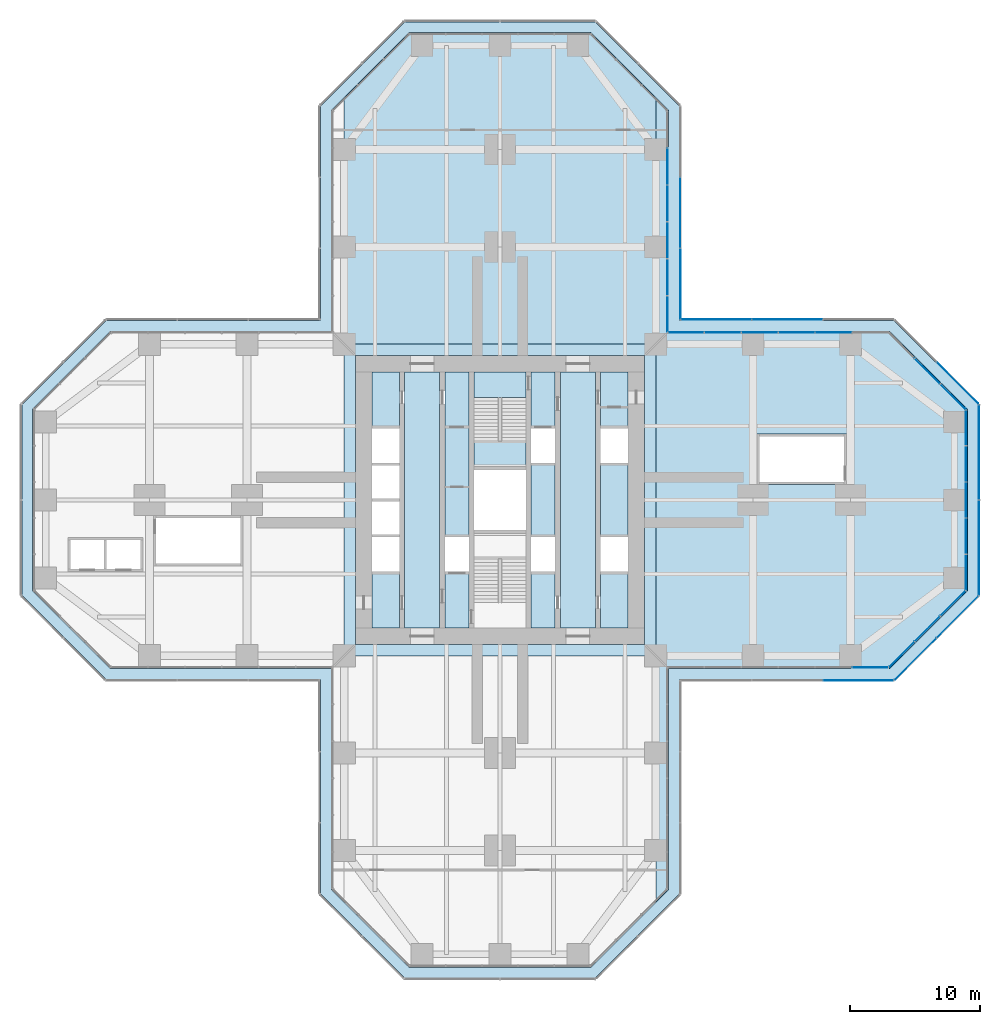
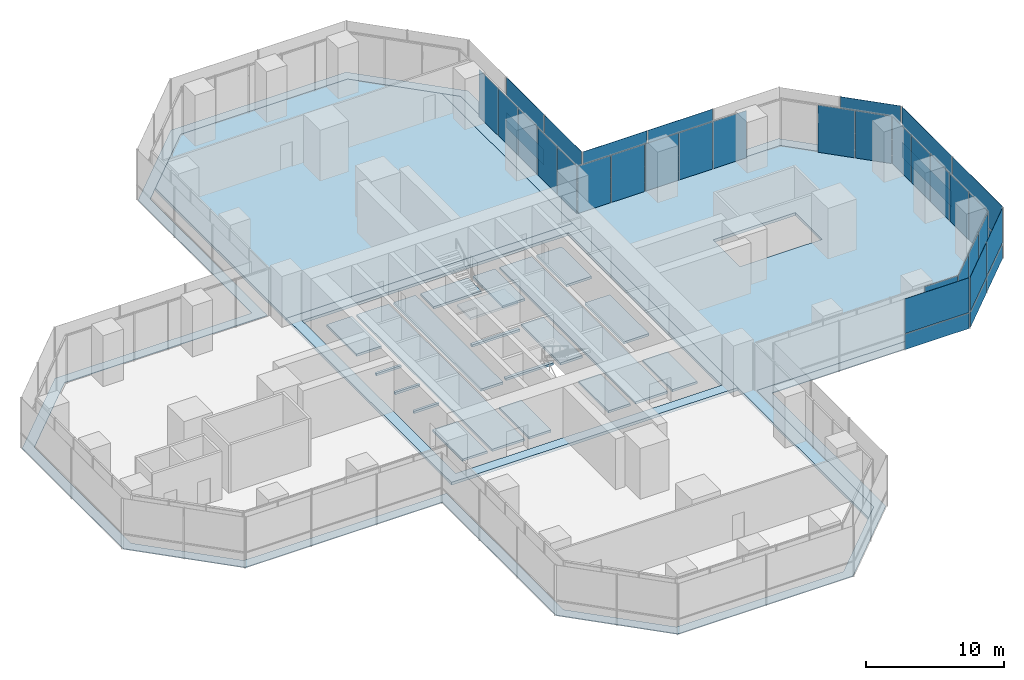
# One storey, part 15 of 21: 42 plates, 6 slabs, 13 elements without a shape of their own.
"""IFC4 building model written with IfcOpenShell, lengths in metres."""

from ifc_helpers import new_model, si_unit, direction, frame, origin, origin_2d, place, context, subcontext, project, spatial, polyline, rectangle, outline, extrude, material, layer, layer_set, type_object, element, aggregate, save


model = new_model("IFC4")

# Units and contexts
model_context = context("Model", 3, precision=1e-05, world=origin(), true_north=direction((0.0, 1.0)))
body_context = subcontext(model_context, "Body", "Model", "MODEL_VIEW")
ifc_project = project(units=[si_unit("LENGTHUNIT", "METRE"), si_unit("AREAUNIT", "SQUARE_METRE"), si_unit("VOLUMEUNIT", "CUBIC_METRE"), si_unit("PLANEANGLEUNIT", "RADIAN"), si_unit("MASSUNIT", "GRAM", prefix="KILO")], contexts=[model_context])

# Site, building, storey
site_placement = place(None, origin())
site = spatial("IfcSite", under=ifc_project, at=site_placement, CompositionType="ELEMENT")
building_placement = place(site_placement, origin())
building = spatial("IfcBuilding", under=site, at=building_placement, Name="Mizan Broadcast Tower", CompositionType="ELEMENT")
storey_placement = place(building_placement, frame((0.0, 0.0, 33.0)))
storey = spatial("IfcBuildingStorey", under=building, at=storey_placement, Name="L05", CompositionType="ELEMENT", Elevation=33.0)

# Plate
ifc_material_1 = material(Name="Aluminium grating", Category="aluminium")
ifc_layer_1 = layer(ifc_material_1, 0.050048828125)
ifc_layer_set_1 = layer_set([ifc_layer_1], Name="Aluminium grating")
plate_type_1 = type_object("IfcPlateType", Name="CAVITY GRATING", PredefinedType="USERDEFINED", material=ifc_layer_set_1)
plate_1_placement = place(storey_placement, frame((0.0, 0.0, -0.050048828125)))
element("IfcPlate", 1, at=plate_1_placement, inside=storey, type_object=plate_type_1, Name="Cavity grating L05", ObjectType="GRATING", PredefinedType="USERDEFINED", context=body_context, shape_type="SweptSolid", body=[
    extrude(outline(polyline([(7.339599609375, -36.820068359375), (13.820068359375, -30.339599609375), (13.820068359375, -13.820068359375), (30.339599609375, -13.820068359375), (36.820068359375, -7.339599609375), (36.820068359375, 7.339599609375), (30.339599609375, 13.820068359375), (13.820068359375, 13.820068359375), (13.820068359375, 30.339599609375), (7.339599609375, 36.820068359375), (-7.339599609375, 36.820068359375), (-13.820068359375, 30.339599609375), (-13.820068359375, 13.820068359375), (-30.339599609375, 13.820068359375), (-36.820068359375, 7.339599609375), (-36.820068359375, -7.339599609375), (-30.339599609375, -13.820068359375), (-13.820068359375, -13.820068359375), (-13.820068359375, -30.339599609375), (-7.339599609375, -36.820068359375), (7.339599609375, -36.820068359375)]), holes=[polyline([(36.0, -7.0), (30.0, -13.0), (13.0, -13.0), (13.0, -30.0), (7.0, -36.0), (-7.0, -36.0), (-13.0, -30.0), (-13.0, -13.0), (-30.0, -13.0), (-36.0, -7.0), (-36.0, 7.0), (-30.0, 13.0), (-13.0, 13.0), (-13.0, 30.0), (-7.0, 36.0), (7.0, 36.0), (13.0, 30.0), (13.0, 13.0), (30.0, 13.0), (36.0, 7.0), (36.0, -7.0)])]), origin(), (0.0, 0.0, 1.0), 0.050048828125),
])

# Slab
ifc_material_2 = material(Name="Concrete C40/50", Category="concrete")
ifc_layer_2 = layer(ifc_material_2, 0.199951171875)
ifc_layer_set_2 = layer_set([ifc_layer_2], Name="Concrete C40/50")
slab_type_1 = type_object("IfcSlabType", Name="CORE FLOOR 200", PredefinedType="FLOOR", material=ifc_layer_set_2)
slab_1_placement = place(storey_placement, frame((0.0, 0.0, -0.199951171875)))
element("IfcSlab", 2, at=slab_1_placement, inside=storey, type_object=slab_type_1, Name="Core floor L05", PredefinedType="FLOOR", context=body_context, shape_type="SweptSolid", body=[
    extrude(outline(polyline([(-9.85009765625, -9.85009765625), (-7.75, -9.85009765625), (-7.75, -5.5), (-9.85009765625, -5.5), (-9.85009765625, -9.85009765625)])), origin(), (0.0, 0.0, 1.0), 0.199951171875),
    extrude(outline(polyline([(-9.85009765625, -2.85009765625), (-7.75, -2.85009765625), (-7.75, -2.64990234375), (-9.85009765625, -2.64990234375), (-9.85009765625, -2.85009765625)])), origin(), (0.0, 0.0, 1.0), 0.199951171875),
    extrude(outline(polyline([(-9.85009765625, -0.10009765625), (-7.75, -0.10009765625), (-7.75, 0.10009765625), (-9.85009765625, 0.10009765625), (-9.85009765625, -0.10009765625)])), origin(), (0.0, 0.0, 1.0), 0.199951171875),
    extrude(outline(polyline([(-9.85009765625, 2.64990234375), (-7.75, 2.64990234375), (-7.75, 2.85009765625), (-9.85009765625, 2.85009765625), (-9.85009765625, 2.64990234375)])), origin(), (0.0, 0.0, 1.0), 0.199951171875),
    extrude(outline(polyline([(-9.85009765625, 5.5), (-7.75, 5.5), (-7.75, 9.85009765625), (-9.85009765625, 9.85009765625), (-9.85009765625, 5.5)])), origin(), (0.0, 0.0, 1.0), 0.199951171875),
    extrude(outline(polyline([(-4.64990234375, 9.85009765625), (-7.35009765625, 9.85009765625), (-7.35009765625, -9.85009765625), (-4.64990234375, -9.85009765625), (-4.64990234375, 9.85009765625)])), origin(), (0.0, 0.0, 1.0), 0.199951171875),
    extrude(outline(polyline([(-4.25, -5.5), (-4.25, -9.85009765625), (-2.39990234375, -9.85009765625), (-2.39990234375, -5.5), (-4.25, -5.5)])), origin(), (0.0, 0.0, 1.0), 0.199951171875),
    extrude(outline(polyline([(-4.25, -2.85009765625), (-2.39990234375, -2.85009765625), (-2.39990234375, 9.85009765625), (-4.25, 9.85009765625), (-4.25, -2.85009765625)])), origin(), (0.0, 0.0, 1.0), 0.199951171875),
    extrude(outline(polyline([(2.0, -2.324951171875), (-2.0, -2.324951171875), (-2.0, -2.574951171875), (2.0, -2.574951171875), (2.0, -2.324951171875)])), origin(), (0.0, 0.0, 1.0), 0.199951171875),
    extrude(outline(polyline([(2.0, 2.574951171875), (-2.0, 2.574951171875), (-2.0, 2.324951171875), (2.0, 2.324951171875), (2.0, 2.574951171875)])), origin(), (0.0, 0.0, 1.0), 0.199951171875),
    extrude(outline(polyline([(4.25, -9.85009765625), (4.25, -5.5), (2.39990234375, -5.5), (2.39990234375, -9.85009765625), (4.25, -9.85009765625)])), origin(), (0.0, 0.0, 1.0), 0.199951171875),
    extrude(outline(polyline([(4.25, -2.85009765625), (4.25, 2.85009765625), (2.39990234375, 2.85009765625), (2.39990234375, -2.85009765625), (4.25, -2.85009765625)])), origin(), (0.0, 0.0, 1.0), 0.199951171875),
    extrude(outline(polyline([(4.25, 5.5), (4.25, 9.85009765625), (2.39990234375, 9.85009765625), (2.39990234375, 5.5), (4.25, 5.5)])), origin(), (0.0, 0.0, 1.0), 0.199951171875),
    extrude(outline(polyline([(4.64990234375, 9.85009765625), (4.64990234375, -9.85009765625), (7.35009765625, -9.85009765625), (7.35009765625, 9.85009765625), (4.64990234375, 9.85009765625)])), origin(), (0.0, 0.0, 1.0), 0.199951171875),
    extrude(outline(polyline([(9.85009765625, -9.85009765625), (9.85009765625, -5.5), (7.75, -5.5), (7.75, -9.85009765625), (9.85009765625, -9.85009765625)])), origin(), (0.0, 0.0, 1.0), 0.199951171875),
    extrude(outline(polyline([(7.75, 2.85009765625), (7.75, -2.85009765625), (9.85009765625, -2.85009765625), (9.85009765625, 2.85009765625), (7.75, 2.85009765625)])), origin(), (0.0, 0.0, 1.0), 0.199951171875),
    extrude(outline(polyline([(9.85009765625, 5.5), (9.85009765625, 9.85009765625), (7.75, 9.85009765625), (7.75, 5.5), (9.85009765625, 5.5)])), origin(), (0.0, 0.0, 1.0), 0.199951171875),
])

# Curtain wall, plates
ifc_material_3 = material(Name="Aluminium framed glazing", Category="aluminium")
curtain_wall_type_1 = type_object("IfcCurtainWallType", Name="OUTER SKIN", PredefinedType="USERDEFINED", material=ifc_material_3)
curtain_wall_1_placement = place(storey_placement, origin())
curtain_wall_1 = element("IfcCurtainWall", 3, at=curtain_wall_1_placement, inside=storey, type_object=curtain_wall_type_1, Name="Outer skin L05 E side", ObjectType="OUTER SKIN", PredefinedType="USERDEFINED")
ifc_material_4 = material(Name="Laminated clear glass", Category="glass")
ifc_layer_3 = layer(ifc_material_4, 0.02001953125)
ifc_layer_set_3 = layer_set([ifc_layer_3], Name="Laminated clear glass")
plate_type_2 = type_object("IfcPlateType", Name="OUTER SKIN CLEAR GLASS", PredefinedType="CURTAIN_PANEL", material=ifc_layer_set_3)
plate_2_placement = place(storey_placement, frame((27.607421875, -13.89990234375, 0.0), z_axis=(0.0, 0.0, 1.0), x_axis=(1.0, 0.0, 0.0)))
plate_2 = element("IfcPlate", 4, at=plate_2_placement, type_object=plate_type_2, Name="Outer skin L05 E side panel 3.1", PredefinedType="CURTAIN_PANEL", context=body_context, shape_type="SweptSolid", body=[
    extrude(rectangle(XDim=5.370849609375, YDim=0.02001953125, at=origin_2d()), origin(), (0.0, 0.0, 1.0), 1.3701171875),
])
plate_3_placement = place(storey_placement, frame((27.607421875, -13.89990234375, 1.43017578125), z_axis=(0.0, 0.0, 1.0), x_axis=(1.0, 0.0, 0.0)))
plate_3 = element("IfcPlate", 5, at=plate_3_placement, type_object=plate_type_2, Name="Outer skin L05 E side panel 3.2", PredefinedType="CURTAIN_PANEL", context=body_context, shape_type="SweptSolid", body=[
    extrude(rectangle(XDim=5.370849609375, YDim=0.02001953125, at=origin_2d()), origin(), (0.0, 0.0, 1.0), 3.070068359375),
])
aggregate(curtain_wall_1, [plate_2, plate_3])

curtain_wall_2_placement = place(storey_placement, origin())
curtain_wall_2 = element("IfcCurtainWall", 6, at=curtain_wall_2_placement, inside=storey, type_object=curtain_wall_type_1, Name="Outer skin L05 E chamfer", ObjectType="OUTER SKIN", PredefinedType="USERDEFINED")
plate_4_placement = place(storey_placement, frame((32.018798828125, -12.254150390625, 0.0), z_axis=(0.0, 0.0, 1.0), x_axis=(0.707106781187, 0.707106781187, 0.0)))
plate_4 = element("IfcPlate", 7, at=plate_4_placement, type_object=plate_type_2, Name="Outer skin L05 E chamfer panel 1.1", PredefinedType="CURTAIN_PANEL", context=body_context, shape_type="SweptSolid", body=[
    extrude(rectangle(XDim=4.495361328125, YDim=0.02001953125, at=origin_2d()), origin(), (0.0, 0.0, 1.0), 1.3701171875),
])
plate_5_placement = place(storey_placement, frame((32.018798828125, -12.254150390625, 1.43017578125), z_axis=(0.0, 0.0, 1.0), x_axis=(0.707106781187, 0.707106781187, 0.0)))
plate_5 = element("IfcPlate", 8, at=plate_5_placement, type_object=plate_type_2, Name="Outer skin L05 E chamfer panel 1.2", PredefinedType="CURTAIN_PANEL", context=body_context, shape_type="SweptSolid", body=[
    extrude(rectangle(XDim=4.495361328125, YDim=0.02001953125, at=origin_2d()), origin(), (0.0, 0.0, 1.0), 3.070068359375),
])

curtain_wall_3_placement = place(storey_placement, origin())
curtain_wall_3 = element("IfcCurtainWall", 9, at=curtain_wall_3_placement, inside=storey, type_object=curtain_wall_type_1, Name="Outer skin L05 E end", ObjectType="OUTER SKIN", PredefinedType="USERDEFINED")
plate_6_placement = place(storey_placement, frame((36.89990234375, -3.66650390625, 0.0), z_axis=(0.0, 0.0, 1.0), x_axis=(0.0, 1.0, 0.0)))
plate_6 = element("IfcPlate", 10, at=plate_6_placement, type_object=plate_type_2, Name="Outer skin L05 E end panel 1.1", PredefinedType="CURTAIN_PANEL", context=body_context, shape_type="SweptSolid", body=[
    extrude(rectangle(XDim=7.252685546875, YDim=0.02001953125, at=origin_2d()), origin(), (0.0, 0.0, 1.0), 1.3701171875),
])
plate_7_placement = place(storey_placement, frame((36.89990234375, -3.66650390625, 1.43017578125), z_axis=(0.0, 0.0, 1.0), x_axis=(0.0, 1.0, 0.0)))
plate_7 = element("IfcPlate", 11, at=plate_7_placement, type_object=plate_type_2, Name="Outer skin L05 E end panel 1.2", PredefinedType="CURTAIN_PANEL", context=body_context, shape_type="SweptSolid", body=[
    extrude(rectangle(XDim=7.252685546875, YDim=0.02001953125, at=origin_2d()), origin(), (0.0, 0.0, 1.0), 3.070068359375),
])

curtain_wall_4_placement = place(storey_placement, origin())
curtain_wall_4 = element("IfcCurtainWall", 12, at=curtain_wall_4_placement, inside=storey, type_object=curtain_wall_type_1, Name="Outer skin L05 E chamfer", ObjectType="OUTER SKIN", PredefinedType="USERDEFINED")
plate_8_placement = place(storey_placement, frame((35.254150390625, 9.018798828125, 0.0), z_axis=(0.0, 0.0, 1.0), x_axis=(-0.707106781187, 0.707106781187, 0.0)))
plate_8 = element("IfcPlate", 13, at=plate_8_placement, type_object=plate_type_2, Name="Outer skin L05 E chamfer panel 1.1", PredefinedType="CURTAIN_PANEL", context=body_context, shape_type="SweptSolid", body=[
    extrude(rectangle(XDim=4.495361328125, YDim=0.02001953125, at=origin_2d()), origin(), (0.0, 0.0, 1.0), 1.3701171875),
])
plate_9_placement = place(storey_placement, frame((35.254150390625, 9.018798828125, 1.43017578125), z_axis=(0.0, 0.0, 1.0), x_axis=(-0.707106781187, 0.707106781187, 0.0)))
plate_9 = element("IfcPlate", 14, at=plate_9_placement, type_object=plate_type_2, Name="Outer skin L05 E chamfer panel 1.2", PredefinedType="CURTAIN_PANEL", context=body_context, shape_type="SweptSolid", body=[
    extrude(rectangle(XDim=4.495361328125, YDim=0.02001953125, at=origin_2d()), origin(), (0.0, 0.0, 1.0), 3.070068359375),
])
aggregate(curtain_wall_4, [plate_8, plate_9])

curtain_wall_5_placement = place(storey_placement, origin())
curtain_wall_5 = element("IfcCurtainWall", 15, at=curtain_wall_5_placement, inside=storey, type_object=curtain_wall_type_1, Name="Outer skin L05 E side", ObjectType="OUTER SKIN", PredefinedType="USERDEFINED")
plate_10_placement = place(storey_placement, frame((22.136474609375, 13.89990234375, 0.0), z_axis=(0.0, 0.0, 1.0), x_axis=(-1.0, 0.0, 0.0)))
plate_10 = element("IfcPlate", 16, at=plate_10_placement, type_object=plate_type_2, Name="Outer skin L05 E side panel 2.1", PredefinedType="CURTAIN_PANEL", context=body_context, shape_type="SweptSolid", body=[
    extrude(rectangle(XDim=5.410888671875, YDim=0.02001953125, at=origin_2d()), origin(), (0.0, 0.0, 1.0), 1.3701171875),
])
plate_11_placement = place(storey_placement, frame((22.136474609375, 13.89990234375, 1.43017578125), z_axis=(0.0, 0.0, 1.0), x_axis=(-1.0, 0.0, 0.0)))
plate_11 = element("IfcPlate", 17, at=plate_11_placement, type_object=plate_type_2, Name="Outer skin L05 E side panel 2.2", PredefinedType="CURTAIN_PANEL", context=body_context, shape_type="SweptSolid", body=[
    extrude(rectangle(XDim=5.410888671875, YDim=0.02001953125, at=origin_2d()), origin(), (0.0, 0.0, 1.0), 3.070068359375),
])
plate_12_placement = place(storey_placement, frame((16.66552734375, 13.89990234375, 0.0), z_axis=(0.0, 0.0, 1.0), x_axis=(-1.0, 0.0, 0.0)))
plate_12 = element("IfcPlate", 18, at=plate_12_placement, type_object=plate_type_2, Name="Outer skin L05 E side panel 3.1", PredefinedType="CURTAIN_PANEL", context=body_context, shape_type="SweptSolid", body=[
    extrude(rectangle(XDim=5.370849609375, YDim=0.02001953125, at=origin_2d()), origin(), (0.0, 0.0, 1.0), 1.3701171875),
])
plate_13_placement = place(storey_placement, frame((16.66552734375, 13.89990234375, 1.43017578125), z_axis=(0.0, 0.0, 1.0), x_axis=(-1.0, 0.0, 0.0)))
plate_13 = element("IfcPlate", 19, at=plate_13_placement, type_object=plate_type_2, Name="Outer skin L05 E side panel 3.2", PredefinedType="CURTAIN_PANEL", context=body_context, shape_type="SweptSolid", body=[
    extrude(rectangle(XDim=5.370849609375, YDim=0.02001953125, at=origin_2d()), origin(), (0.0, 0.0, 1.0), 3.070068359375),
])
aggregate(curtain_wall_5, [plate_10, plate_11, plate_12, plate_13])

curtain_wall_6_placement = place(storey_placement, origin())
curtain_wall_6 = element("IfcCurtainWall", 20, at=curtain_wall_6_placement, inside=storey, type_object=curtain_wall_type_1, Name="Outer skin L05 N side", ObjectType="OUTER SKIN", PredefinedType="USERDEFINED")
plate_14_placement = place(storey_placement, frame((13.89990234375, 16.66552734375, 0.0), z_axis=(0.0, 0.0, 1.0), x_axis=(0.0, 1.0, 0.0)))
plate_14 = element("IfcPlate", 21, at=plate_14_placement, type_object=plate_type_2, Name="Outer skin L05 N side panel 1.1", PredefinedType="CURTAIN_PANEL", context=body_context, shape_type="SweptSolid", body=[
    extrude(rectangle(XDim=5.370849609375, YDim=0.02001953125, at=origin_2d()), origin(), (0.0, 0.0, 1.0), 1.3701171875),
])
plate_15_placement = place(storey_placement, frame((13.89990234375, 16.66552734375, 1.43017578125), z_axis=(0.0, 0.0, 1.0), x_axis=(0.0, 1.0, 0.0)))
plate_15 = element("IfcPlate", 22, at=plate_15_placement, type_object=plate_type_2, Name="Outer skin L05 N side panel 1.2", PredefinedType="CURTAIN_PANEL", context=body_context, shape_type="SweptSolid", body=[
    extrude(rectangle(XDim=5.370849609375, YDim=0.02001953125, at=origin_2d()), origin(), (0.0, 0.0, 1.0), 3.070068359375),
])

# Plate
ifc_material_5 = material(Name="Perforated aluminium, pale anodised", Category="aluminium")
ifc_layer_4 = layer(ifc_material_5, 0.011962890625)
ifc_layer_set_4 = layer_set([ifc_layer_4], Name="Perforated aluminium, pale anodised")
plate_type_3 = type_object("IfcPlateType", Name="OUTER SKIN PERFORATED SCREEN", PredefinedType="USERDEFINED", material=ifc_layer_set_4)
plate_16_placement = place(storey_placement, frame((35.254150390625, -9.018798828125, 0.0), z_axis=(0.0, 0.0, 1.0), x_axis=(0.707106781187, 0.707106781187, 0.0)))
plate_16 = element("IfcPlate", 23, at=plate_16_placement, type_object=plate_type_3, Name="Outer skin L05 E chamfer panel 2.1", ObjectType="SCREEN", PredefinedType="USERDEFINED", context=body_context, shape_type="SweptSolid", body=[
    extrude(rectangle(XDim=4.495361328125, YDim=0.011962890625, at=origin_2d()), origin(), (0.0, 0.0, 1.0), 1.3701171875),
])

plate_17_placement = place(storey_placement, frame((35.254150390625, -9.018798828125, 1.43017578125), z_axis=(0.0, 0.0, 1.0), x_axis=(0.707106781187, 0.707106781187, 0.0)))
plate_17 = element("IfcPlate", 24, at=plate_17_placement, type_object=plate_type_3, Name="Outer skin L05 E chamfer panel 2.2", ObjectType="SCREEN", PredefinedType="USERDEFINED", context=body_context, shape_type="SweptSolid", body=[
    extrude(rectangle(XDim=4.495361328125, YDim=0.011962890625, at=origin_2d()), origin(), (0.0, 0.0, 1.0), 3.070068359375),
])

aggregate(curtain_wall_2, [plate_4, plate_5, plate_16, plate_17])

plate_18_placement = place(storey_placement, frame((36.89990234375, 3.66650390625, 0.0), z_axis=(0.0, 0.0, 1.0), x_axis=(0.0, 1.0, 0.0)))
plate_18 = element("IfcPlate", 25, at=plate_18_placement, type_object=plate_type_3, Name="Outer skin L05 E end panel 2.1", ObjectType="SCREEN", PredefinedType="USERDEFINED", context=body_context, shape_type="SweptSolid", body=[
    extrude(rectangle(XDim=7.252685546875, YDim=0.011962890625, at=origin_2d()), origin(), (0.0, 0.0, 1.0), 1.3701171875),
])

plate_19_placement = place(storey_placement, frame((36.89990234375, 3.66650390625, 1.43017578125), z_axis=(0.0, 0.0, 1.0), x_axis=(0.0, 1.0, 0.0)))
plate_19 = element("IfcPlate", 26, at=plate_19_placement, type_object=plate_type_3, Name="Outer skin L05 E end panel 2.2", ObjectType="SCREEN", PredefinedType="USERDEFINED", context=body_context, shape_type="SweptSolid", body=[
    extrude(rectangle(XDim=7.252685546875, YDim=0.011962890625, at=origin_2d()), origin(), (0.0, 0.0, 1.0), 3.070068359375),
])

aggregate(curtain_wall_3, [plate_6, plate_7, plate_18, plate_19])

plate_20_placement = place(storey_placement, frame((13.89990234375, 22.136474609375, 0.0), z_axis=(0.0, 0.0, 1.0), x_axis=(0.0, 1.0, 0.0)))
plate_20 = element("IfcPlate", 27, at=plate_20_placement, type_object=plate_type_3, Name="Outer skin L05 N side panel 2.1", ObjectType="SCREEN", PredefinedType="USERDEFINED", context=body_context, shape_type="SweptSolid", body=[
    extrude(rectangle(XDim=5.410888671875, YDim=0.011962890625, at=origin_2d()), origin(), (0.0, 0.0, 1.0), 1.3701171875),
])

plate_21_placement = place(storey_placement, frame((13.89990234375, 22.136474609375, 1.43017578125), z_axis=(0.0, 0.0, 1.0), x_axis=(0.0, 1.0, 0.0)))
plate_21 = element("IfcPlate", 28, at=plate_21_placement, type_object=plate_type_3, Name="Outer skin L05 N side panel 2.2", ObjectType="SCREEN", PredefinedType="USERDEFINED", context=body_context, shape_type="SweptSolid", body=[
    extrude(rectangle(XDim=5.410888671875, YDim=0.011962890625, at=origin_2d()), origin(), (0.0, 0.0, 1.0), 3.070068359375),
])

aggregate(curtain_wall_6, [plate_14, plate_15, plate_20, plate_21])

# Curtain wall, plate
ifc_material_6 = material(Name="Aluminium framed glazing", Category="aluminium")
curtain_wall_type_2 = type_object("IfcCurtainWallType", Name="PODIUM CURTAIN WALL", PredefinedType="USERDEFINED", material=ifc_material_6)
curtain_wall_7_placement = place(storey_placement, origin())
curtain_wall_7 = element("IfcCurtainWall", 29, at=curtain_wall_7_placement, inside=storey, type_object=curtain_wall_type_2, Name="Podium curtain wall L05 E side", ObjectType="PODIUM CURTAIN WALL", PredefinedType="USERDEFINED")
ifc_material_7 = material(Name="Double glazing, clear laminated", Category="glass")
ifc_layer_5 = layer(ifc_material_7, 0.031982421875)
ifc_layer_set_5 = layer_set([ifc_layer_5], Name="Double glazing, clear laminated")
plate_type_4 = type_object("IfcPlateType", Name="PODIUM GLAZING UNIT", PredefinedType="CURTAIN_PANEL", material=ifc_layer_set_5)
plate_22_placement = place(storey_placement, frame((28.52197265625, -12.89990234375, 0.0), z_axis=(0.0, 0.0, 1.0), x_axis=(1.0, 0.0, 0.0)))
plate_22 = element("IfcPlate", 30, at=plate_22_placement, type_object=plate_type_4, Name="Podium curtain wall L05 E side panel 6.1", PredefinedType="CURTAIN_PANEL", context=body_context, shape_type="SweptSolid", body=[
    extrude(rectangle(XDim=2.753173828125, YDim=0.031982421875, at=origin_2d()), origin(), (0.0, 0.0, 1.0), 4.18994140625),
])
aggregate(curtain_wall_7, [plate_22])

# Curtain wall, plates
curtain_wall_8_placement = place(storey_placement, origin())
curtain_wall_8 = element("IfcCurtainWall", 31, at=curtain_wall_8_placement, inside=storey, type_object=curtain_wall_type_2, Name="Podium curtain wall L05 E chamfer", ObjectType="PODIUM CURTAIN WALL", PredefinedType="USERDEFINED")
plate_23_placement = place(storey_placement, frame((30.95947265625, -11.899169921875, 0.0), z_axis=(0.0, 0.0, 1.0), x_axis=(0.707106781187, 0.707106781187, 0.0)))
plate_23 = element("IfcPlate", 32, at=plate_23_placement, type_object=plate_type_4, Name="Podium curtain wall L05 E chamfer panel 1.1", PredefinedType="CURTAIN_PANEL", context=body_context, shape_type="SweptSolid", body=[
    extrude(rectangle(XDim=2.710693359375, YDim=0.031982421875, at=origin_2d()), origin(), (0.0, 0.0, 1.0), 4.18994140625),
])
plate_24_placement = place(storey_placement, frame((32.92919921875, -9.92919921875, 0.0), z_axis=(0.0, 0.0, 1.0), x_axis=(0.707106781187, 0.707106781187, 0.0)))
plate_24 = element("IfcPlate", 33, at=plate_24_placement, type_object=plate_type_4, Name="Podium curtain wall L05 E chamfer panel 2.1", PredefinedType="CURTAIN_PANEL", context=body_context, shape_type="SweptSolid", body=[
    extrude(rectangle(XDim=2.74072265625, YDim=0.031982421875, at=origin_2d()), origin(), (0.0, 0.0, 1.0), 4.18994140625),
])
plate_25_placement = place(storey_placement, frame((34.899169921875, -7.95947265625, 0.0), z_axis=(0.0, 0.0, 1.0), x_axis=(0.707106781187, 0.707106781187, 0.0)))
plate_25 = element("IfcPlate", 34, at=plate_25_placement, type_object=plate_type_4, Name="Podium curtain wall L05 E chamfer panel 3.1", PredefinedType="CURTAIN_PANEL", context=body_context, shape_type="SweptSolid", body=[
    extrude(rectangle(XDim=2.710693359375, YDim=0.031982421875, at=origin_2d()), origin(), (0.0, 0.0, 1.0), 4.18994140625),
])
aggregate(curtain_wall_8, [plate_23, plate_24, plate_25])

curtain_wall_9_placement = place(storey_placement, origin())
curtain_wall_9 = element("IfcCurtainWall", 35, at=curtain_wall_9_placement, inside=storey, type_object=curtain_wall_type_2, Name="Podium curtain wall L05 E end", ObjectType="PODIUM CURTAIN WALL", PredefinedType="USERDEFINED")
plate_26_placement = place(storey_placement, frame((35.89990234375, -5.5517578125, 0.0), z_axis=(0.0, 0.0, 1.0), x_axis=(0.0, 1.0, 0.0)))
plate_26 = element("IfcPlate", 36, at=plate_26_placement, type_object=plate_type_4, Name="Podium curtain wall L05 E end panel 1.1", PredefinedType="CURTAIN_PANEL", context=body_context, shape_type="SweptSolid", body=[
    extrude(rectangle(XDim=2.693359375, YDim=0.031982421875, at=origin_2d()), origin(), (0.0, 0.0, 1.0), 4.18994140625),
])
plate_27_placement = place(storey_placement, frame((35.89990234375, -2.783447265625, 0.0), z_axis=(0.0, 0.0, 1.0), x_axis=(0.0, 1.0, 0.0)))
plate_27 = element("IfcPlate", 37, at=plate_27_placement, type_object=plate_type_4, Name="Podium curtain wall L05 E end panel 2.1", PredefinedType="CURTAIN_PANEL", context=body_context, shape_type="SweptSolid", body=[
    extrude(rectangle(XDim=2.723388671875, YDim=0.031982421875, at=origin_2d()), origin(), (0.0, 0.0, 1.0), 4.18994140625),
])
plate_28_placement = place(storey_placement, frame((35.89990234375, 0.0, 0.0), z_axis=(0.0, 0.0, 1.0), x_axis=(0.0, 1.0, 0.0)))
plate_28 = element("IfcPlate", 38, at=plate_28_placement, type_object=plate_type_4, Name="Podium curtain wall L05 E end panel 3.1", PredefinedType="CURTAIN_PANEL", context=body_context, shape_type="SweptSolid", body=[
    extrude(rectangle(XDim=2.723388671875, YDim=0.031982421875, at=origin_2d()), origin(), (0.0, 0.0, 1.0), 4.18994140625),
])
plate_29_placement = place(storey_placement, frame((35.89990234375, 2.783447265625, 0.0), z_axis=(0.0, 0.0, 1.0), x_axis=(0.0, 1.0, 0.0)))
plate_29 = element("IfcPlate", 39, at=plate_29_placement, type_object=plate_type_4, Name="Podium curtain wall L05 E end panel 4.1", PredefinedType="CURTAIN_PANEL", context=body_context, shape_type="SweptSolid", body=[
    extrude(rectangle(XDim=2.723388671875, YDim=0.031982421875, at=origin_2d()), origin(), (0.0, 0.0, 1.0), 4.18994140625),
])
plate_30_placement = place(storey_placement, frame((35.89990234375, 5.5517578125, 0.0), z_axis=(0.0, 0.0, 1.0), x_axis=(0.0, 1.0, 0.0)))
plate_30 = element("IfcPlate", 40, at=plate_30_placement, type_object=plate_type_4, Name="Podium curtain wall L05 E end panel 5.1", PredefinedType="CURTAIN_PANEL", context=body_context, shape_type="SweptSolid", body=[
    extrude(rectangle(XDim=2.693359375, YDim=0.031982421875, at=origin_2d()), origin(), (0.0, 0.0, 1.0), 4.18994140625),
])
aggregate(curtain_wall_9, [plate_26, plate_27, plate_28, plate_29, plate_30])

curtain_wall_10_placement = place(storey_placement, origin())
curtain_wall_10 = element("IfcCurtainWall", 41, at=curtain_wall_10_placement, inside=storey, type_object=curtain_wall_type_2, Name="Podium curtain wall L05 E chamfer", ObjectType="PODIUM CURTAIN WALL", PredefinedType="USERDEFINED")
plate_31_placement = place(storey_placement, frame((34.899169921875, 7.95947265625, 0.0), z_axis=(0.0, 0.0, 1.0), x_axis=(-0.707106781187, 0.707106781187, 0.0)))
plate_31 = element("IfcPlate", 42, at=plate_31_placement, type_object=plate_type_4, Name="Podium curtain wall L05 E chamfer panel 1.1", PredefinedType="CURTAIN_PANEL", context=body_context, shape_type="SweptSolid", body=[
    extrude(rectangle(XDim=2.710693359375, YDim=0.031982421875, at=origin_2d()), origin(), (0.0, 0.0, 1.0), 4.18994140625),
])
plate_32_placement = place(storey_placement, frame((32.92919921875, 9.92919921875, 0.0), z_axis=(0.0, 0.0, 1.0), x_axis=(-0.707106781187, 0.707106781187, 0.0)))
plate_32 = element("IfcPlate", 43, at=plate_32_placement, type_object=plate_type_4, Name="Podium curtain wall L05 E chamfer panel 2.1", PredefinedType="CURTAIN_PANEL", context=body_context, shape_type="SweptSolid", body=[
    extrude(rectangle(XDim=2.74072265625, YDim=0.031982421875, at=origin_2d()), origin(), (0.0, 0.0, 1.0), 4.18994140625),
])
aggregate(curtain_wall_10, [plate_31, plate_32])

curtain_wall_11_placement = place(storey_placement, origin())
curtain_wall_11 = element("IfcCurtainWall", 44, at=curtain_wall_11_placement, inside=storey, type_object=curtain_wall_type_2, Name="Podium curtain wall L05 E side", ObjectType="PODIUM CURTAIN WALL", PredefinedType="USERDEFINED")
plate_33_placement = place(storey_placement, frame((25.69384765625, 12.89990234375, 0.0), z_axis=(0.0, 0.0, 1.0), x_axis=(-1.0, 0.0, 0.0)))
plate_33 = element("IfcPlate", 45, at=plate_33_placement, type_object=plate_type_4, Name="Podium curtain wall L05 E side panel 2.1", PredefinedType="CURTAIN_PANEL", context=body_context, shape_type="SweptSolid", body=[
    extrude(rectangle(XDim=2.783203125, YDim=0.031982421875, at=origin_2d()), origin(), (0.0, 0.0, 1.0), 4.18994140625),
])
plate_34_placement = place(storey_placement, frame((22.850830078125, 12.89990234375, 0.0), z_axis=(0.0, 0.0, 1.0), x_axis=(-1.0, 0.0, 0.0)))
plate_34 = element("IfcPlate", 46, at=plate_34_placement, type_object=plate_type_4, Name="Podium curtain wall L05 E side panel 3.1", PredefinedType="CURTAIN_PANEL", context=body_context, shape_type="SweptSolid", body=[
    extrude(rectangle(XDim=2.783203125, YDim=0.031982421875, at=origin_2d()), origin(), (0.0, 0.0, 1.0), 4.18994140625),
])
plate_35_placement = place(storey_placement, frame((20.0078125, 12.89990234375, 0.0), z_axis=(0.0, 0.0, 1.0), x_axis=(-1.0, 0.0, 0.0)))
plate_35 = element("IfcPlate", 47, at=plate_35_placement, type_object=plate_type_4, Name="Podium curtain wall L05 E side panel 4.1", PredefinedType="CURTAIN_PANEL", context=body_context, shape_type="SweptSolid", body=[
    extrude(rectangle(XDim=2.783203125, YDim=0.031982421875, at=origin_2d()), origin(), (0.0, 0.0, 1.0), 4.18994140625),
])
plate_36_placement = place(storey_placement, frame((17.16455078125, 12.89990234375, 0.0), z_axis=(0.0, 0.0, 1.0), x_axis=(-1.0, 0.0, 0.0)))
plate_36 = element("IfcPlate", 48, at=plate_36_placement, type_object=plate_type_4, Name="Podium curtain wall L05 E side panel 5.1", PredefinedType="CURTAIN_PANEL", context=body_context, shape_type="SweptSolid", body=[
    extrude(rectangle(XDim=2.783203125, YDim=0.031982421875, at=origin_2d()), origin(), (0.0, 0.0, 1.0), 4.18994140625),
])
plate_37_placement = place(storey_placement, frame((14.336669921875, 12.89990234375, 0.0), z_axis=(0.0, 0.0, 1.0), x_axis=(-1.0, 0.0, 0.0)))
plate_37 = element("IfcPlate", 49, at=plate_37_placement, type_object=plate_type_4, Name="Podium curtain wall L05 E side panel 6.1", PredefinedType="CURTAIN_PANEL", context=body_context, shape_type="SweptSolid", body=[
    extrude(rectangle(XDim=2.753173828125, YDim=0.031982421875, at=origin_2d()), origin(), (0.0, 0.0, 1.0), 4.18994140625),
])
aggregate(curtain_wall_11, [plate_33, plate_34, plate_35, plate_36, plate_37])

curtain_wall_12_placement = place(storey_placement, origin())
curtain_wall_12 = element("IfcCurtainWall", 50, at=curtain_wall_12_placement, inside=storey, type_object=curtain_wall_type_2, Name="Podium curtain wall L05 N side", ObjectType="PODIUM CURTAIN WALL", PredefinedType="USERDEFINED")
plate_38_placement = place(storey_placement, frame((12.89990234375, 14.336669921875, 0.0), z_axis=(0.0, 0.0, 1.0), x_axis=(0.0, 1.0, 0.0)))
plate_38 = element("IfcPlate", 51, at=plate_38_placement, type_object=plate_type_4, Name="Podium curtain wall L05 N side panel 1.1", PredefinedType="CURTAIN_PANEL", context=body_context, shape_type="SweptSolid", body=[
    extrude(rectangle(XDim=2.753173828125, YDim=0.031982421875, at=origin_2d()), origin(), (0.0, 0.0, 1.0), 4.18994140625),
])
plate_39_placement = place(storey_placement, frame((12.89990234375, 17.16455078125, 0.0), z_axis=(0.0, 0.0, 1.0), x_axis=(0.0, 1.0, 0.0)))
plate_39 = element("IfcPlate", 52, at=plate_39_placement, type_object=plate_type_4, Name="Podium curtain wall L05 N side panel 2.1", PredefinedType="CURTAIN_PANEL", context=body_context, shape_type="SweptSolid", body=[
    extrude(rectangle(XDim=2.783203125, YDim=0.031982421875, at=origin_2d()), origin(), (0.0, 0.0, 1.0), 4.18994140625),
])
plate_40_placement = place(storey_placement, frame((12.89990234375, 20.0078125, 0.0), z_axis=(0.0, 0.0, 1.0), x_axis=(0.0, 1.0, 0.0)))
plate_40 = element("IfcPlate", 53, at=plate_40_placement, type_object=plate_type_4, Name="Podium curtain wall L05 N side panel 3.1", PredefinedType="CURTAIN_PANEL", context=body_context, shape_type="SweptSolid", body=[
    extrude(rectangle(XDim=2.783203125, YDim=0.031982421875, at=origin_2d()), origin(), (0.0, 0.0, 1.0), 4.18994140625),
])
plate_41_placement = place(storey_placement, frame((12.89990234375, 22.850830078125, 0.0), z_axis=(0.0, 0.0, 1.0), x_axis=(0.0, 1.0, 0.0)))
plate_41 = element("IfcPlate", 54, at=plate_41_placement, type_object=plate_type_4, Name="Podium curtain wall L05 N side panel 4.1", PredefinedType="CURTAIN_PANEL", context=body_context, shape_type="SweptSolid", body=[
    extrude(rectangle(XDim=2.783203125, YDim=0.031982421875, at=origin_2d()), origin(), (0.0, 0.0, 1.0), 4.18994140625),
])
plate_42_placement = place(storey_placement, frame((12.89990234375, 25.69384765625, 0.0), z_axis=(0.0, 0.0, 1.0), x_axis=(0.0, 1.0, 0.0)))
plate_42 = element("IfcPlate", 55, at=plate_42_placement, type_object=plate_type_4, Name="Podium curtain wall L05 N side panel 5.1", PredefinedType="CURTAIN_PANEL", context=body_context, shape_type="SweptSolid", body=[
    extrude(rectangle(XDim=2.783203125, YDim=0.031982421875, at=origin_2d()), origin(), (0.0, 0.0, 1.0), 4.18994140625),
])
aggregate(curtain_wall_12, [plate_38, plate_39, plate_40, plate_41, plate_42])

# Slabs
ifc_material_8 = material(Name="Concrete C40/50", Category="concrete")
ifc_layer_6 = layer(ifc_material_8, 0.25)
ifc_layer_set_6 = layer_set([ifc_layer_6], Name="Concrete C40/50")
slab_type_2 = type_object("IfcSlabType", Name="RC FLAT SLAB 250", PredefinedType="FLOOR", material=ifc_layer_set_6)
slab_2_placement = place(storey_placement, frame((0.0, 0.0, -0.25)))
element("IfcSlab", 56, at=slab_2_placement, inside=storey, type_object=slab_type_2, Name="Floor slab L05 centre", PredefinedType="FLOOR", context=body_context, shape_type="SweptSolid", body=[
    extrude(outline(polyline([(-12.0, -12.0), (12.0, -12.0), (12.0, 12.0), (-12.0, 12.0), (-12.0, -12.0)]), holes=[polyline([(11.14990234375, 11.14990234375), (11.14990234375, -11.14990234375), (-11.14990234375, -11.14990234375), (-11.14990234375, 11.14990234375), (11.14990234375, 11.14990234375)])]), origin(), (0.0, 0.0, 1.0), 0.25),
])
slab_3_placement = place(storey_placement, frame((0.0, 0.0, -0.25)))
element("IfcSlab", 57, at=slab_3_placement, inside=storey, type_object=slab_type_2, Name="Floor slab L05 east arm", PredefinedType="FLOOR", context=body_context, shape_type="SweptSolid", body=[
    extrude(outline(polyline([(13.0, 30.0), (12.0, 31.0), (12.0, -31.0), (13.0, -30.0), (13.0, -13.0), (30.0, -13.0), (36.0, -7.0), (36.0, 7.0), (30.0, 13.0), (13.0, 13.0), (13.0, 30.0)]), holes=[polyline([(19.800048828125, 1.199951171875), (19.800048828125, 5.10009765625), (26.699951171875, 5.10009765625), (26.699951171875, 1.199951171875), (19.800048828125, 1.199951171875)])]), origin(), (0.0, 0.0, 1.0), 0.25),
])
slab_4_placement = place(storey_placement, frame((0.0, 0.0, -0.25)))
element("IfcSlab", 58, at=slab_4_placement, inside=storey, type_object=slab_type_2, Name="Floor slab L05 north arm", PredefinedType="FLOOR", context=body_context, shape_type="SweptSolid", body=[
    extrude(outline(polyline([(-7.0, 36.0), (-12.0, 31.0), (-12.0, 12.0), (12.0, 12.0), (12.0, 31.0), (7.0, 36.0), (-7.0, 36.0)])), origin(), (0.0, 0.0, 1.0), 0.25),
])

# Stair, slabs
ifc_material_9 = material(Name="Concrete C40/50", Category="concrete")
stair_type = type_object("IfcStairType", Name="EXIT STAIR", PredefinedType="HALF_TURN_STAIR", material=ifc_material_9)
stair_placement = place(storey_placement, origin())
stair = element("IfcStair", 59, at=stair_placement, inside=storey, type_object=stair_type, Name="Stair B L05", PredefinedType="HALF_TURN_STAIR")
ifc_material_10 = material(Name="Concrete C40/50", Category="concrete")
ifc_layer_7 = layer(ifc_material_10, 0.199951171875)
ifc_layer_set_7 = layer_set([ifc_layer_7], Name="Concrete C40/50")
slab_type_3 = type_object("IfcSlabType", Name="STAIR LANDING 200", PredefinedType="LANDING", material=ifc_layer_set_7)
slab_5_placement = place(storey_placement, frame((0.0, 0.0, -0.199951171875)))
slab_5 = element("IfcSlab", 60, at=slab_5_placement, type_object=slab_type_3, Name="B landing 1", PredefinedType="LANDING", context=body_context, shape_type="SweptSolid", body=[
    extrude(outline(polyline([(2.0, 9.85009765625), (2.0, 7.89990234375), (-2.0, 7.89990234375), (-2.0, 9.85009765625), (2.0, 9.85009765625)])), origin(), (0.0, 0.0, 1.0), 0.199951171875),
])
slab_6_placement = place(storey_placement, frame((0.0, 0.0, 2.050048828125)))
slab_6 = element("IfcSlab", 61, at=slab_6_placement, type_object=slab_type_3, Name="B landing 2", PredefinedType="LANDING", context=body_context, shape_type="SweptSolid", body=[
    extrude(outline(polyline([(2.0, 4.5400390625), (2.0, 2.574951171875), (-2.0, 2.574951171875), (-2.0, 4.5400390625), (2.0, 4.5400390625)])), origin(), (0.0, 0.0, 1.0), 0.199951171875),
])
aggregate(stair, [slab_5, slab_6])

save(model, "model.ifc")
